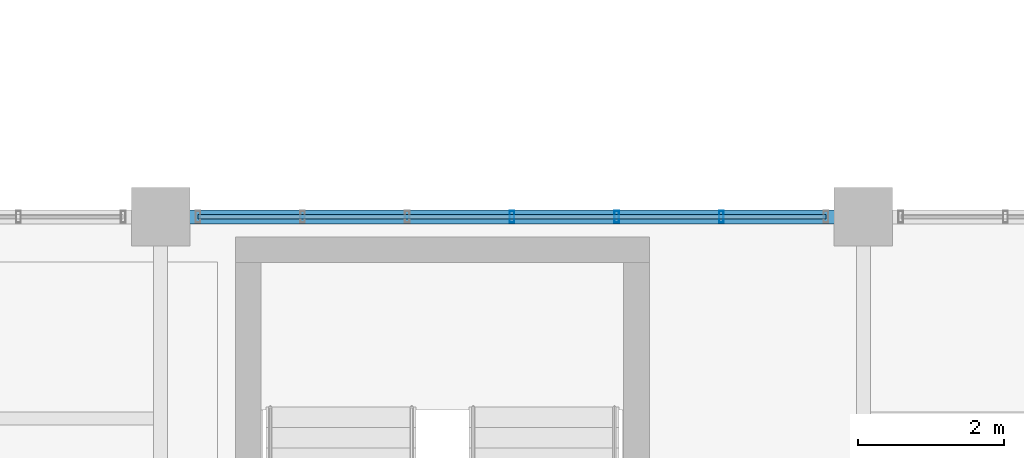
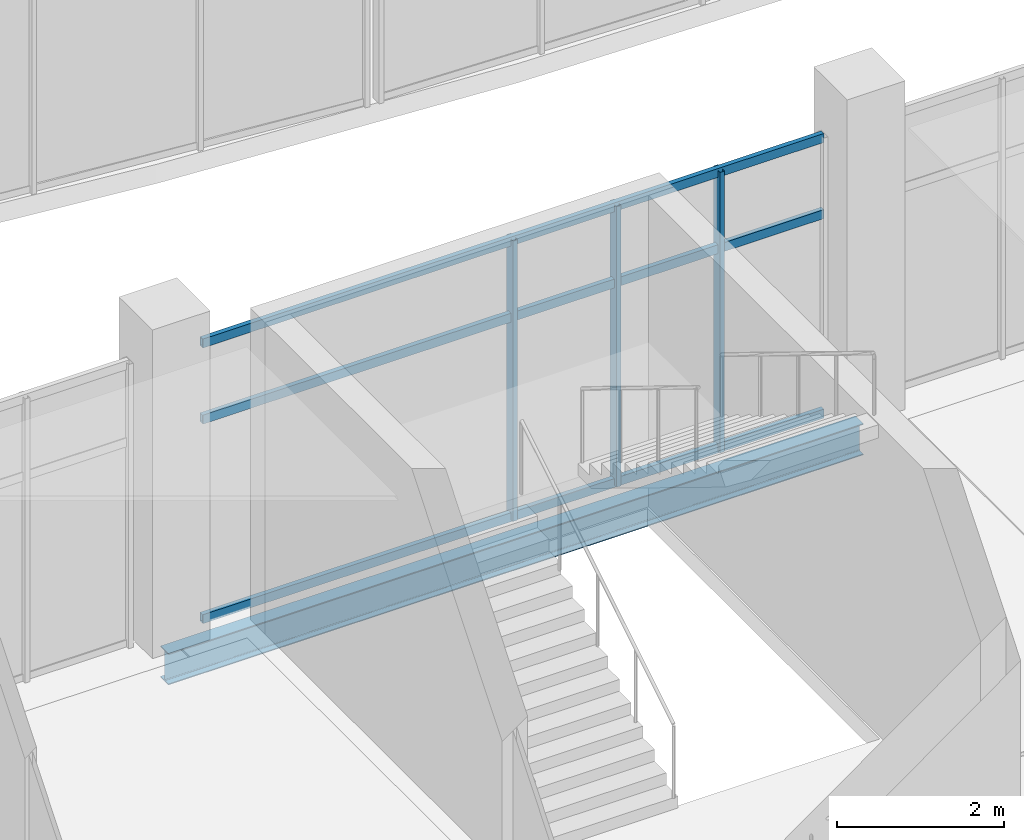
# One storey, part 58 of 157: 6 members, 1 beam, 1 element without a shape of its own.
"""IFC4 building model written with IfcOpenShell, lengths in metres."""

from ifc_helpers import new_model, si_unit, direction, frame, origin, origin_2d, place, context, subcontext, project, spatial, hollow_rectangle, i_section, extrude, material, layer, layer_set, material_profile, profile_set, type_object, element, aggregate, save


model = new_model("IFC4")

# Units and contexts
model_context = context("Model", 3, precision=1e-05, world=origin(), true_north=direction((0.0, 1.0)))
body_context = subcontext(model_context, "Body", "Model", "MODEL_VIEW")
ifc_project = project(units=[si_unit("LENGTHUNIT", "METRE"), si_unit("AREAUNIT", "SQUARE_METRE"), si_unit("VOLUMEUNIT", "CUBIC_METRE"), si_unit("PLANEANGLEUNIT", "RADIAN"), si_unit("MASSUNIT", "GRAM", prefix="KILO")], contexts=[model_context])

# Site, building, storey
site_placement = place(None, origin())
site = spatial("IfcSite", under=ifc_project, at=site_placement, CompositionType="ELEMENT")
building_placement = place(site_placement, origin())
building = spatial("IfcBuilding", under=site, at=building_placement, Name="Chalmorin Arch Market", CompositionType="ELEMENT")
storey_placement = place(building_placement, frame((0.0, 0.0, 4.800048828125)))
storey = spatial("IfcBuildingStorey", under=building, at=storey_placement, Name="L01", CompositionType="ELEMENT", Elevation=4.800048828125)

# Curtain wall, members
ifc_material_1 = material(Name="Aluminium 6063-T6", Category="aluminium")
ifc_layer = layer(ifc_material_1, 0.159912109375)
ifc_layer_set = layer_set([ifc_layer], Name="Aluminium 6063-T6")
curtain_wall_type = type_object("IfcCurtainWallType", Name="MarketClerestoryCurtainWall-CW1-8580x4100", PredefinedType="NOTDEFINED", material=ifc_layer_set)
curtain_wall_placement = place(storey_placement, origin())
curtain_wall = element("IfcCurtainWall", 1, at=curtain_wall_placement, inside=storey, type_object=curtain_wall_type, Name="CW-01-009", PredefinedType="NOTDEFINED")
ifc_material_profile_1 = material_profile(ifc_material_1, hollow_rectangle(XDim=0.06494140625, YDim=0.159912109375, WallThickness=0.00390625, at=origin_2d()), Name="ALU65X160X4")
ifc_profile_set_1 = profile_set([ifc_material_profile_1], Name="Aluminium 6063-T6")
member_type_1 = type_object("IfcMemberType", Name="CurtainWallMullion-65x160", PredefinedType="MULLION", material=ifc_profile_set_1)
member_1_placement = place(storey_placement, frame((72.0, 58.800048828125, 0.0), z_axis=(0.0, 0.0, 1.0), x_axis=(1.0, 0.0, 0.0)))
member_1 = element("IfcMember", 2, at=member_1_placement, type_object=member_type_1, Name="ML-009-04", PredefinedType="MULLION", context=body_context, shape_type="SweptSolid", body=[
    extrude(hollow_rectangle(XDim=0.06494140625, YDim=0.159912109375, WallThickness=0.00390625, at=origin_2d()), origin(), (0.0, 0.0, 1.0), 4.095947265625),
])
member_2_placement = place(storey_placement, frame((73.429931640625, 58.800048828125, 0.0), z_axis=(0.0, 0.0, 1.0), x_axis=(1.0, 0.0, 0.0)))
member_2 = element("IfcMember", 3, at=member_2_placement, type_object=member_type_1, Name="ML-009-05", PredefinedType="MULLION", context=body_context, shape_type="SweptSolid", body=[
    extrude(hollow_rectangle(XDim=0.06494140625, YDim=0.159912109375, WallThickness=0.00390625, at=origin_2d()), origin(), (0.0, 0.0, 1.0), 4.095947265625),
])
member_3_placement = place(storey_placement, frame((74.860107421875, 58.800048828125, 0.0), z_axis=(0.0, 0.0, 1.0), x_axis=(1.0, 0.0, 0.0)))
member_3 = element("IfcMember", 4, at=member_3_placement, type_object=member_type_1, Name="ML-009-06", PredefinedType="MULLION", context=body_context, shape_type="SweptSolid", body=[
    extrude(hollow_rectangle(XDim=0.06494140625, YDim=0.159912109375, WallThickness=0.00390625, at=origin_2d()), origin(), (0.0, 0.0, 1.0), 4.095947265625),
])
ifc_material_profile_2 = material_profile(ifc_material_1, hollow_rectangle(XDim=0.06494140625, YDim=0.1298828125, WallThickness=0.00390625, at=origin_2d()), Name="ALU65X130X4")
ifc_profile_set_2 = profile_set([ifc_material_profile_2], Name="Aluminium 6063-T6")
member_type_2 = type_object("IfcMemberType", Name="CurtainWallTransom-65x130", PredefinedType="USERDEFINED", material=ifc_profile_set_2)
member_4_placement = place(storey_placement, frame((67.7099609375, 58.800048828125, 0.034912109375), z_axis=(1.0, 0.0, 0.0), x_axis=(0.0, 1.0, 0.0)))
member_4 = element("IfcMember", 5, at=member_4_placement, type_object=member_type_2, Name="TR-009-01", ObjectType="TRANSOM", PredefinedType="USERDEFINED", context=body_context, shape_type="SweptSolid", body=[
    extrude(hollow_rectangle(XDim=0.06494140625, YDim=0.1298828125, WallThickness=0.00390625, at=origin_2d()), origin(), (0.0, 0.0, 1.0), 8.580078125),
])
member_5_placement = place(storey_placement, frame((67.7099609375, 58.800048828125, 2.948974609375), z_axis=(1.0, 0.0, 0.0), x_axis=(0.0, 1.0, 0.0)))
member_5 = element("IfcMember", 6, at=member_5_placement, type_object=member_type_2, Name="TR-009-02", ObjectType="TRANSOM", PredefinedType="USERDEFINED", context=body_context, shape_type="SweptSolid", body=[
    extrude(hollow_rectangle(XDim=0.06494140625, YDim=0.1298828125, WallThickness=0.00390625, at=origin_2d()), origin(), (0.0, 0.0, 1.0), 8.580078125),
])
member_6_placement = place(storey_placement, frame((67.7099609375, 58.800048828125, 4.06103515625), z_axis=(1.0, 0.0, 0.0), x_axis=(0.0, 1.0, 0.0)))
member_6 = element("IfcMember", 7, at=member_6_placement, type_object=member_type_2, Name="TR-009-03", ObjectType="TRANSOM", PredefinedType="USERDEFINED", context=body_context, shape_type="SweptSolid", body=[
    extrude(hollow_rectangle(XDim=0.06494140625, YDim=0.1298828125, WallThickness=0.00390625, at=origin_2d()), origin(), (0.0, 0.0, 1.0), 8.580078125),
])
aggregate(curtain_wall, [member_1, member_2, member_3, member_4, member_5, member_6])

# Beam
ifc_material_2 = material(Name="Steel A992 Grade 50", Category="steel")
ifc_material_profile_3 = material_profile(ifc_material_2, i_section(OverallWidth=0.19091796875, OverallDepth=0.45703125, WebThickness=0.009033203125, FlangeThickness=0.014404296875, FilletRadius=0.02001953125, at=origin_2d()), Name="W18X50")
ifc_profile_set_3 = profile_set([ifc_material_profile_3], Name="Steel A992 Grade 50")
beam_type = type_object("IfcBeamType", Name="PerimeterSpandrelBeam-W18X50", PredefinedType="SPANDREL", material=ifc_profile_set_3)
beam_placement = place(storey_placement, frame((67.199951171875, 58.800048828125, -0.48046875), z_axis=(1.0, 0.0, 0.0), x_axis=(0.0, 1.0, 0.0)))
element("IfcBeam", 8, at=beam_placement, inside=storey, type_object=beam_type, Name="SP-W18-0647", PredefinedType="SPANDREL", context=body_context, shape_type="SweptSolid", body=[
    extrude(i_section(OverallWidth=0.19091796875, OverallDepth=0.45703125, WebThickness=0.009033203125, FlangeThickness=0.014404296875, FilletRadius=0.02001953125, at=origin_2d()), origin(), (0.0, 0.0, 1.0), 9.60009765625),
])

save(model, "model.ifc")
